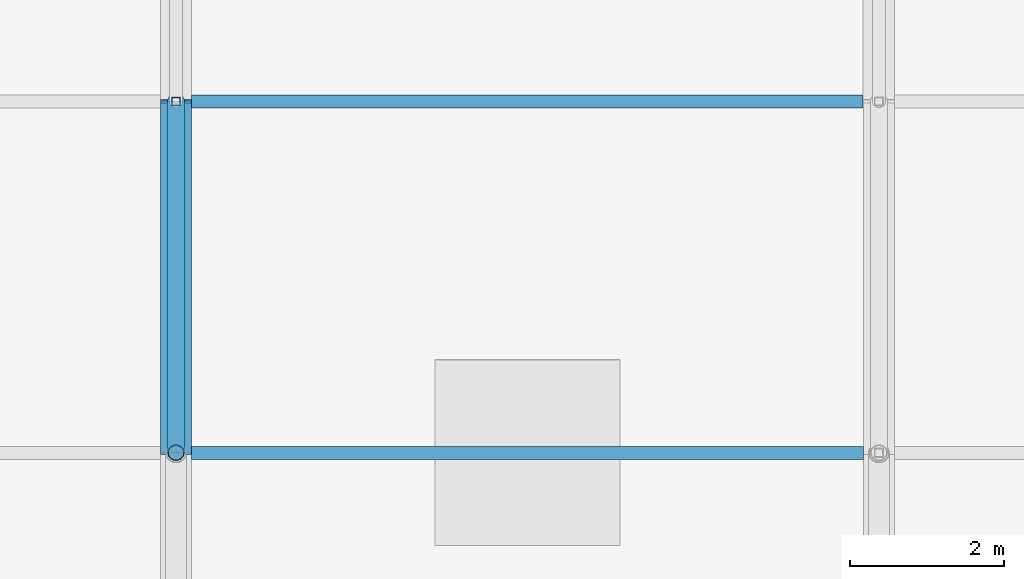
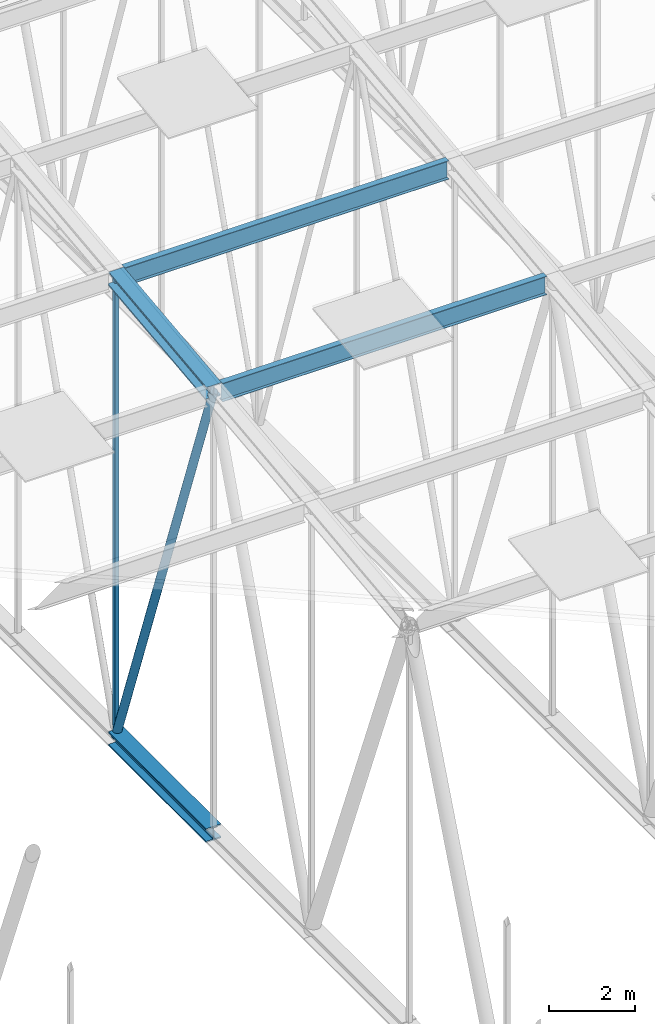
# One storey, part 137 of 500: 6 members.
"""IFC4 building model written with IfcOpenShell, lengths in metres."""

from ifc_helpers import new_model, si_unit, direction, frame, origin, origin_2d, place, context, subcontext, project, spatial, hollow_rectangle, hollow_circle, i_section, extrude, material, material_profile, profile_set, type_object, element, save


model = new_model("IFC4")

# Units and contexts
model_context = context("Model", 3, precision=1e-05, world=origin(), true_north=direction((0.0, 1.0)))
body_context = subcontext(model_context, "Body", "Model", "MODEL_VIEW")
ifc_project = project(units=[si_unit("LENGTHUNIT", "METRE"), si_unit("AREAUNIT", "SQUARE_METRE"), si_unit("VOLUMEUNIT", "CUBIC_METRE"), si_unit("PLANEANGLEUNIT", "RADIAN"), si_unit("MASSUNIT", "GRAM", prefix="KILO")], contexts=[model_context])

# Site, building, storey
site_placement = place(None, origin())
site = spatial("IfcSite", under=ifc_project, at=site_placement, CompositionType="ELEMENT")
building_placement = place(site_placement, origin())
building = spatial("IfcBuilding", under=site, at=building_placement, Name="Shirokan Park Arena", CompositionType="ELEMENT")
storey_placement = place(building_placement, frame((0.0, 0.0, 29.1201171875)))
storey = spatial("IfcBuildingStorey", under=building, at=storey_placement, Name="L06", CompositionType="ELEMENT", Elevation=29.1201171875)

# Members
ifc_material_1 = material(Name="Steel ASTM A992", Category="steel")
ifc_material_profile_1 = material_profile(ifc_material_1, i_section(OverallWidth=0.40087890625, OverallDepth=0.39892578125, WebThickness=0.02490234375, FlangeThickness=0.03955078125, at=origin_2d()), Name="W360X314")
ifc_profile_set_1 = profile_set([ifc_material_profile_1], Name="Steel ASTM A992")
member_type_1 = type_object("IfcMemberType", Name="Bottom chord W360X314", PredefinedType="CHORD", material=ifc_profile_set_1)
member_1_placement = place(storey_placement, frame((63.699951171875, 40.949951171875, 4.677001953125), z_axis=(0.0, 1.0, 0.0), x_axis=(-1.0, 0.0, 0.0)))
element("IfcMember", 1, at=member_1_placement, inside=storey, type_object=member_type_1, Name="Truss T08 bottom chord 12", PredefinedType="CHORD", context=body_context, shape_type="SweptSolid", body=[
    extrude(i_section(OverallWidth=0.40087890625, OverallDepth=0.39892578125, WebThickness=0.02490234375, FlangeThickness=0.03955078125, at=origin_2d()), origin(), (0.0, 0.0, 1.0), 4.550048828125),
])
ifc_material_profile_2 = material_profile(ifc_material_1, i_section(OverallWidth=0.166015625, OverallDepth=0.528076171875, WebThickness=0.009765625, FlangeThickness=0.013671875, at=origin_2d()), Name="W530X74")
ifc_profile_set_2 = profile_set([ifc_material_profile_2], Name="Steel ASTM A992")
member_type_2 = type_object("IfcMemberType", Name="Purlin W530X74", PredefinedType="PURLIN", material=ifc_profile_set_2)
member_2_placement = place(storey_placement, frame((63.900390625, 40.949951171875, 17.165771484375), z_axis=(1.0, 0.0, 0.0), x_axis=(0.0, 1.0, 0.0)))
element("IfcMember", 2, at=member_2_placement, inside=storey, type_object=member_type_2, Name="Purlin 12 bay 8", PredefinedType="PURLIN", context=body_context, shape_type="SweptSolid", body=[
    extrude(i_section(OverallWidth=0.166015625, OverallDepth=0.528076171875, WebThickness=0.009765625, FlangeThickness=0.013671875, at=origin_2d()), origin(), (0.0, 0.0, 1.0), 8.69921875),
])
member_3_placement = place(storey_placement, frame((63.903076171875, 45.5, 17.685791015625), z_axis=(1.0, 0.0, 0.0), x_axis=(0.0, 1.0, 0.0)))
element("IfcMember", 3, at=member_3_placement, inside=storey, type_object=member_type_2, Name="Purlin 13 bay 8", PredefinedType="PURLIN", context=body_context, shape_type="SweptSolid", body=[
    extrude(i_section(OverallWidth=0.166015625, OverallDepth=0.528076171875, WebThickness=0.009765625, FlangeThickness=0.013671875, at=origin_2d()), origin(), (0.0, 0.0, 1.0), 8.69384765625),
])
ifc_material_profile_3 = material_profile(ifc_material_1, i_section(OverallWidth=0.40087890625, OverallDepth=0.39892578125, WebThickness=0.02490234375, FlangeThickness=0.03955078125, at=origin_2d()), Name="W360X314")
ifc_profile_set_3 = profile_set([ifc_material_profile_3], Name="Steel ASTM A992")
member_type_3 = type_object("IfcMemberType", Name="Top chord W360X314", PredefinedType="CHORD", material=ifc_profile_set_3)
member_4_placement = place(storey_placement, frame((63.699951171875, 40.949951171875, 17.221435546875), z_axis=(0.0, 0.993532328996, 0.113549598152), x_axis=(-1.0, 0.0, 0.0)))
element("IfcMember", 4, at=member_4_placement, inside=storey, type_object=member_type_3, Name="Truss T08 top chord 12", PredefinedType="CHORD", context=body_context, shape_type="SweptSolid", body=[
    extrude(i_section(OverallWidth=0.40087890625, OverallDepth=0.39892578125, WebThickness=0.02490234375, FlangeThickness=0.03955078125, at=origin_2d()), origin(), (0.0, 0.0, 1.0), 4.57958984375),
])
ifc_material_2 = material(Name="Steel ASTM A500 Grade C", Category="steel")
ifc_material_profile_4 = material_profile(ifc_material_2, hollow_circle(Radius=0.109619140625, WallThickness=0.009521484375, at=origin_2d()), Name="HSS219.1X9.5")
ifc_profile_set_4 = profile_set([ifc_material_profile_4], Name="Steel ASTM A500 Grade C")
member_type_4 = type_object("IfcMemberType", Name="Truss diagonal HSS219.1X9.5", PredefinedType="BRACE", material=ifc_profile_set_4)
member_5_placement = place(storey_placement, frame((63.699951171875, 40.949951171875, 17.221435546875), z_axis=(0.0, 0.340977600467, -0.94007142068), x_axis=(-1.0, 0.0, 0.0)))
element("IfcMember", 5, at=member_5_placement, inside=storey, type_object=member_type_4, Name="Truss T08 diagonal 12", PredefinedType="BRACE", context=body_context, shape_type="SweptSolid", body=[
    extrude(hollow_circle(Radius=0.109619140625, WallThickness=0.009521484375, at=origin_2d()), origin(), (0.0, 0.0, 1.0), 13.34423828125),
])
ifc_material_profile_5 = material_profile(ifc_material_2, hollow_rectangle(XDim=0.114013671875, YDim=0.114013671875, WallThickness=0.00634765625, at=origin_2d()), Name="HSS114.3X114.3X6.4")
ifc_profile_set_5 = profile_set([ifc_material_profile_5], Name="Steel ASTM A500 Grade C")
member_type_5 = type_object("IfcMemberType", Name="Truss post HSS114.3X114.3X6.4", PredefinedType="POST", material=ifc_profile_set_5)
member_6_placement = place(storey_placement, frame((63.699951171875, 45.5, 4.677001953125), z_axis=(0.0, 0.0, 1.0), x_axis=(1.0, 0.0, 0.0)))
element("IfcMember", 6, at=member_6_placement, inside=storey, type_object=member_type_5, Name="Truss T08 post 13", PredefinedType="POST", context=body_context, shape_type="SweptSolid", body=[
    extrude(hollow_rectangle(XDim=0.114013671875, YDim=0.114013671875, WallThickness=0.00634765625, at=origin_2d()), origin(), (0.0, 0.0, 1.0), 13.064453125),
])

save(model, "model.ifc")
